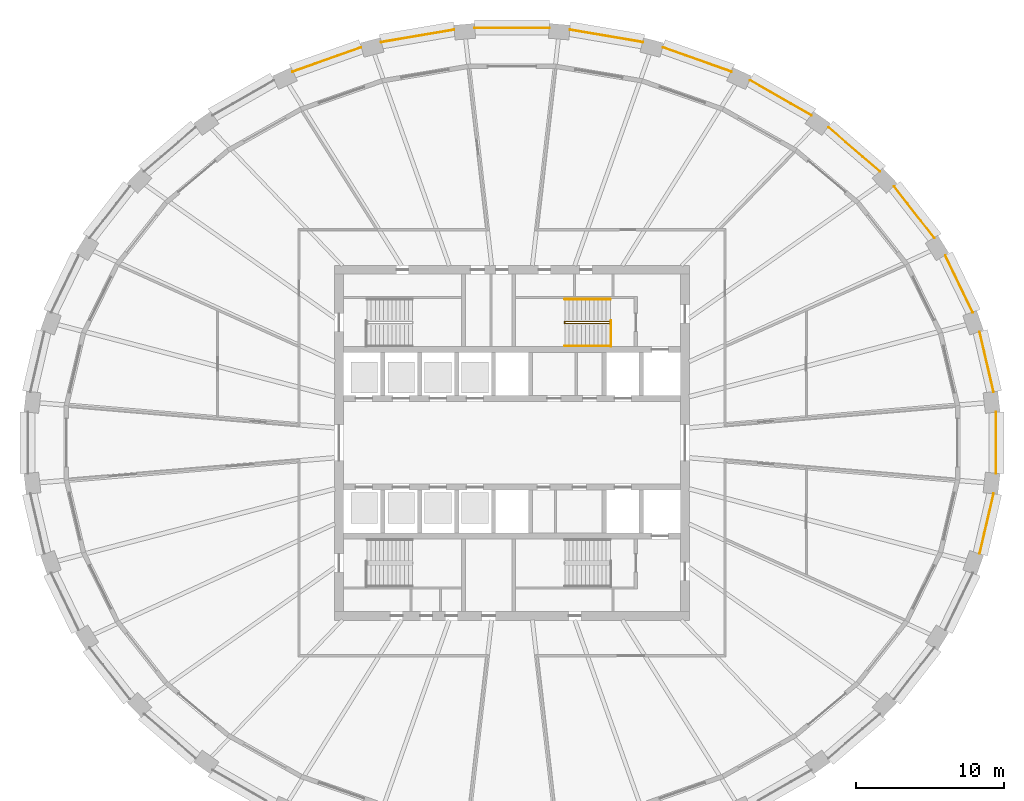
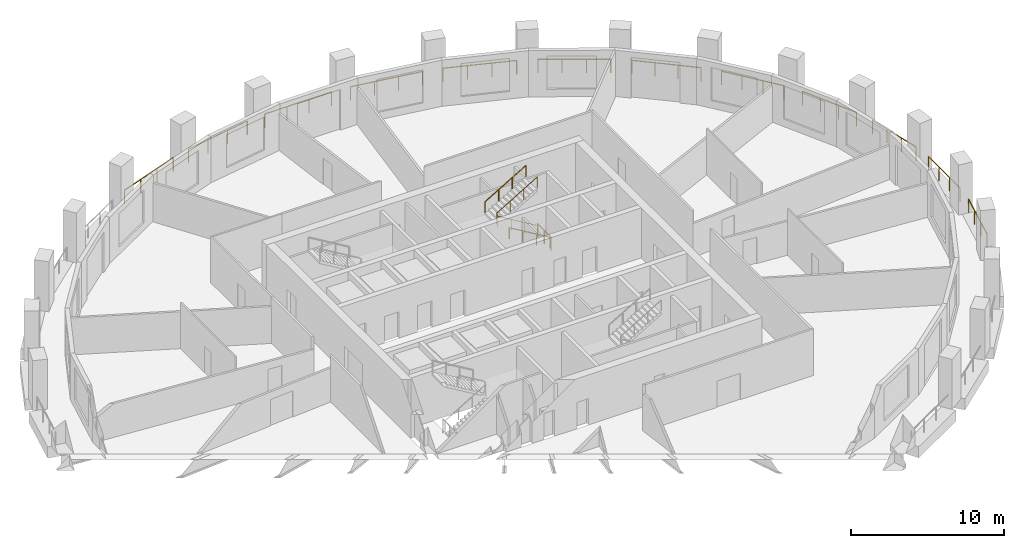
# One storey, part 9 of 10: 16 railings.
"""IFC4 building model written with IfcOpenShell, lengths in metres."""

from ifc_helpers import new_model, si_unit, direction, frame, origin, origin_2d, place, context, subcontext, project, spatial, circle, extrude, material, type_object, element, save


model = new_model("IFC4")

# Units and contexts
model_context = context("Model", 3, precision=1e-05, world=origin(), true_north=direction((0.0, 1.0)))
body_context = subcontext(model_context, "Body", "Model", "MODEL_VIEW")
ifc_project = project(units=[si_unit("LENGTHUNIT", "METRE"), si_unit("AREAUNIT", "SQUARE_METRE"), si_unit("VOLUMEUNIT", "CUBIC_METRE"), si_unit("PLANEANGLEUNIT", "RADIAN"), si_unit("MASSUNIT", "GRAM", prefix="KILO")], contexts=[model_context])

# Site, building, storey
site_placement = place(None, origin())
site = spatial("IfcSite", under=ifc_project, at=site_placement, CompositionType="ELEMENT")
building_placement = place(site_placement, origin())
building = spatial("IfcBuilding", under=site, at=building_placement, Name="Halqa Exchange Tower", CompositionType="ELEMENT")
storey_placement = place(building_placement, frame((0.0, 0.0, 186.89990234375)))
storey = spatial("IfcBuildingStorey", under=building, at=storey_placement, Name="L42", CompositionType="ELEMENT", Elevation=186.89990234375)

# Railings
ifc_material = material(Name="Stainless steel", Category="steel")
railing_type_1 = type_object("IfcRailingType", Name="Guard 1100 stainless steel", PredefinedType="GUARDRAIL", material=ifc_material)
railing_1_placement = place(storey_placement, frame((32.5576171875, 3.44384765625, 0.0)))
element("IfcRailing", 1, at=railing_1_placement, inside=storey, type_object=railing_type_1, Name="Loggia guard 1", PredefinedType="GUARDRAIL", context=body_context, shape_type="SweptSolid", body=[
    extrude(circle(Radius=0.02392578125, at=origin_2d()), frame((0.0, 0.0, 1.076171875), z_axis=(-0.226088953207, 0.974106660093, 0.0), x_axis=(-0.974106660093, -0.226088953207, 0.0)), (0.0, 0.0, 1.0), 4.16162109375),
    extrude(circle(Radius=0.02099609375, at=origin_2d()), origin(), (0.0, 0.0, 1.0), 1.052001953125),
    extrude(circle(Radius=0.02099609375, at=origin_2d()), frame((-0.313720703125, 1.351318359375, 0.0)), (0.0, 0.0, 1.0), 1.052001953125),
    extrude(circle(Radius=0.02099609375, at=origin_2d()), frame((-0.627197265625, 2.70263671875, 0.0)), (0.0, 0.0, 1.0), 1.052001953125),
    extrude(circle(Radius=0.02099609375, at=origin_2d()), frame((-0.94091796875, 4.053955078125, 0.0)), (0.0, 0.0, 1.0), 1.052001953125),
])
railing_2_placement = place(storey_placement, frame((31.15380859375, 8.809814453125, 0.0)))
element("IfcRailing", 2, at=railing_2_placement, inside=storey, type_object=railing_type_1, Name="Loggia guard 2", PredefinedType="GUARDRAIL", context=body_context, shape_type="SweptSolid", body=[
    extrude(circle(Radius=0.02392578125, at=origin_2d()), frame((0.0, 0.0, 1.076171875), z_axis=(-0.435091374041, 0.900386303892, 0.0), x_axis=(-0.900386303892, -0.435091374041, 0.0)), (0.0, 0.0, 1.0), 4.267822265625),
    extrude(circle(Radius=0.02099609375, at=origin_2d()), origin(), (0.0, 0.0, 1.0), 1.052001953125),
    extrude(circle(Radius=0.02099609375, at=origin_2d()), frame((-0.618896484375, 1.281005859375, 0.0)), (0.0, 0.0, 1.0), 1.052001953125),
    extrude(circle(Radius=0.02099609375, at=origin_2d()), frame((-1.238037109375, 2.561767578125, 0.0)), (0.0, 0.0, 1.0), 1.052001953125),
    extrude(circle(Radius=0.02099609375, at=origin_2d()), frame((-1.85693359375, 3.8427734375, 0.0)), (0.0, 0.0, 1.0), 1.052001953125),
])
railing_3_placement = place(storey_placement, frame((28.56201171875, 13.8349609375, 0.0)))
element("IfcRailing", 3, at=railing_3_placement, inside=storey, type_object=railing_type_1, Name="Loggia guard 3", PredefinedType="GUARDRAIL", context=body_context, shape_type="SweptSolid", body=[
    extrude(circle(Radius=0.02392578125, at=origin_2d()), frame((0.0, 0.0, 1.076171875), z_axis=(-0.614819031124, 0.788668218561, 0.0), x_axis=(-0.788668218561, -0.614819031124, 0.0)), (0.0, 0.0, 1.0), 4.423583984375),
    extrude(circle(Radius=0.02099609375, at=origin_2d()), origin(), (0.0, 0.0, 1.0), 1.052001953125),
    extrude(circle(Radius=0.02099609375, at=origin_2d()), frame((-0.906494140625, 1.162841796875, 0.0)), (0.0, 0.0, 1.0), 1.052001953125),
    extrude(circle(Radius=0.02099609375, at=origin_2d()), frame((-1.813232421875, 2.325927734375, 0.0)), (0.0, 0.0, 1.0), 1.052001953125),
    extrude(circle(Radius=0.02099609375, at=origin_2d()), frame((-2.7197265625, 3.48876953125, 0.0)), (0.0, 0.0, 1.0), 1.052001953125),
])
railing_4_placement = place(storey_placement, frame((24.880615234375, 18.331298828125, 0.0)))
element("IfcRailing", 4, at=railing_4_placement, inside=storey, type_object=railing_type_1, Name="Loggia guard 4", PredefinedType="GUARDRAIL", context=body_context, shape_type="SweptSolid", body=[
    extrude(circle(Radius=0.02392578125, at=origin_2d()), frame((0.0, 0.0, 1.076171875), z_axis=(-0.75926783661, 0.650778266608, 0.0), x_axis=(-0.650778266608, -0.75926783661, 0.0)), (0.0, 0.0, 1.0), 4.60205078125),
    extrude(circle(Radius=0.02099609375, at=origin_2d()), origin(), (0.0, 0.0, 1.0), 1.052001953125),
    extrude(circle(Radius=0.02099609375, at=origin_2d()), frame((-1.164794921875, 0.998291015625, 0.0)), (0.0, 0.0, 1.0), 1.052001953125),
    extrude(circle(Radius=0.02099609375, at=origin_2d()), frame((-2.329345703125, 1.99658203125, 0.0)), (0.0, 0.0, 1.0), 1.052001953125),
    extrude(circle(Radius=0.02099609375, at=origin_2d()), frame((-3.494140625, 2.994873046875, 0.0)), (0.0, 0.0, 1.0), 1.052001953125),
])
railing_5_placement = place(storey_placement, frame((20.24755859375, 22.129638671875, 0.0)))
element("IfcRailing", 5, at=railing_5_placement, inside=storey, type_object=railing_type_1, Name="Loggia guard 5", PredefinedType="GUARDRAIL", context=body_context, shape_type="SweptSolid", body=[
    extrude(circle(Radius=0.02392578125, at=origin_2d()), frame((0.0, 0.0, 1.076171875), z_axis=(-0.867751855259, 0.496997703913, 0.0), x_axis=(-0.496997703913, -0.867751855259, 0.0)), (0.0, 0.0, 1.0), 4.774658203125),
    extrude(circle(Radius=0.02099609375, at=origin_2d()), origin(), (0.0, 0.0, 1.0), 1.052001953125),
    extrude(circle(Radius=0.02099609375, at=origin_2d()), frame((-1.381103515625, 0.791015625, 0.0)), (0.0, 0.0, 1.0), 1.052001953125),
    extrude(circle(Radius=0.02099609375, at=origin_2d()), frame((-2.76220703125, 1.58203125, 0.0)), (0.0, 0.0, 1.0), 1.052001953125),
    extrude(circle(Radius=0.02099609375, at=origin_2d()), frame((-4.143310546875, 2.373046875, 0.0)), (0.0, 0.0, 1.0), 1.052001953125),
])
railing_6_placement = place(storey_placement, frame((14.837158203125, 25.084716796875, 0.0)))
element("IfcRailing", 6, at=railing_6_placement, inside=storey, type_object=railing_type_1, Name="Loggia guard 6", PredefinedType="GUARDRAIL", context=body_context, shape_type="SweptSolid", body=[
    extrude(circle(Radius=0.02392578125, at=origin_2d()), frame((0.0, 0.0, 1.076171875), z_axis=(-0.942369190495, 0.334574817949, 0.0), x_axis=(-0.334574817949, -0.942369190495, 0.0)), (0.0, 0.0, 1.0), 4.918212890625),
    extrude(circle(Radius=0.02099609375, at=origin_2d()), origin(), (0.0, 0.0, 1.0), 1.052001953125),
    extrude(circle(Radius=0.02099609375, at=origin_2d()), frame((-1.544921875, 0.548583984375, 0.0)), (0.0, 0.0, 1.0), 1.052001953125),
    extrude(circle(Radius=0.02099609375, at=origin_2d()), frame((-3.08984375, 1.096923828125, 0.0)), (0.0, 0.0, 1.0), 1.052001953125),
    extrude(circle(Radius=0.02099609375, at=origin_2d()), frame((-4.634765625, 1.6455078125, 0.0)), (0.0, 0.0, 1.0), 1.052001953125),
])
railing_7_placement = place(storey_placement, frame((8.852783203125, 27.08203125, 0.0)))
element("IfcRailing", 7, at=railing_7_placement, inside=storey, type_object=railing_type_1, Name="Loggia guard 7", PredefinedType="GUARDRAIL", context=body_context, shape_type="SweptSolid", body=[
    extrude(circle(Radius=0.02392578125, at=origin_2d()), frame((0.0, 0.0, 1.076171875), z_axis=(-0.985777589704, 0.168055180337, 0.0), x_axis=(-0.168055180337, -0.985777589704, 0.0)), (0.0, 0.0, 1.0), 5.011962890625),
    extrude(circle(Radius=0.02099609375, at=origin_2d()), origin(), (0.0, 0.0, 1.0), 1.052001953125),
    extrude(circle(Radius=0.02099609375, at=origin_2d()), frame((-1.64697265625, 0.28076171875, 0.0)), (0.0, 0.0, 1.0), 1.052001953125),
    extrude(circle(Radius=0.02099609375, at=origin_2d()), frame((-3.293701171875, 0.5615234375, 0.0)), (0.0, 0.0, 1.0), 1.052001953125),
    extrude(circle(Radius=0.02099609375, at=origin_2d()), frame((-4.940673828125, 0.84228515625, 0.0)), (0.0, 0.0, 1.0), 1.052001953125),
])
railing_8_placement = place(storey_placement, frame((2.522216796875, 28.0419921875, 0.0)))
element("IfcRailing", 8, at=railing_8_placement, inside=storey, type_object=railing_type_1, Name="Loggia guard 8", PredefinedType="GUARDRAIL", context=body_context, shape_type="SweptSolid", body=[
    extrude(circle(Radius=0.02392578125, at=origin_2d()), frame((0.0, 0.0, 1.076171875), z_axis=(-1.0, 0.0, 0.0), x_axis=(0.0, -1.0, 0.0)), (0.0, 0.0, 1.0), 5.04443359375),
    extrude(circle(Radius=0.02099609375, at=origin_2d()), origin(), (0.0, 0.0, 1.0), 1.052001953125),
    extrude(circle(Radius=0.02099609375, at=origin_2d()), frame((-1.681396484375, 0.0, 0.0)), (0.0, 0.0, 1.0), 1.052001953125),
    extrude(circle(Radius=0.02099609375, at=origin_2d()), frame((-3.363037109375, 0.0, 0.0)), (0.0, 0.0, 1.0), 1.052001953125),
    extrude(circle(Radius=0.02099609375, at=origin_2d()), frame((-5.04443359375, 0.0, 0.0)), (0.0, 0.0, 1.0), 1.052001953125),
])
railing_9_placement = place(storey_placement, frame((-3.912109375, 27.92431640625, 0.0)))
element("IfcRailing", 9, at=railing_9_placement, inside=storey, type_object=railing_type_1, Name="Loggia guard 9", PredefinedType="GUARDRAIL", context=body_context, shape_type="SweptSolid", body=[
    extrude(circle(Radius=0.02392578125, at=origin_2d()), frame((0.0, 0.0, 1.076171875), z_axis=(-0.985777589704, -0.168055180337, 0.0), x_axis=(0.168055180337, -0.985777589704, 0.0)), (0.0, 0.0, 1.0), 5.011962890625),
    extrude(circle(Radius=0.02099609375, at=origin_2d()), origin(), (0.0, 0.0, 1.0), 1.052001953125),
    extrude(circle(Radius=0.02099609375, at=origin_2d()), frame((-1.64697265625, -0.28076171875, 0.0)), (0.0, 0.0, 1.0), 1.052001953125),
    extrude(circle(Radius=0.02099609375, at=origin_2d()), frame((-3.293701171875, -0.5615234375, 0.0)), (0.0, 0.0, 1.0), 1.052001953125),
    extrude(circle(Radius=0.02099609375, at=origin_2d()), frame((-4.940673828125, -0.84228515625, 0.0)), (0.0, 0.0, 1.0), 1.052001953125),
])
railing_10_placement = place(storey_placement, frame((-10.202392578125, 26.730224609375, 0.0)))
element("IfcRailing", 10, at=railing_10_placement, inside=storey, type_object=railing_type_1, Name="Loggia guard 10", PredefinedType="GUARDRAIL", context=body_context, shape_type="SweptSolid", body=[
    extrude(circle(Radius=0.02392578125, at=origin_2d()), frame((0.0, 0.0, 1.076171875), z_axis=(-0.942369190495, -0.334574817949, 0.0), x_axis=(0.334574817949, -0.942369190495, 0.0)), (0.0, 0.0, 1.0), 4.918212890625),
    extrude(circle(Radius=0.02099609375, at=origin_2d()), origin(), (0.0, 0.0, 1.0), 1.052001953125),
    extrude(circle(Radius=0.02099609375, at=origin_2d()), frame((-1.544921875, -0.548583984375, 0.0)), (0.0, 0.0, 1.0), 1.052001953125),
    extrude(circle(Radius=0.02099609375, at=origin_2d()), frame((-3.08984375, -1.096923828125, 0.0)), (0.0, 0.0, 1.0), 1.052001953125),
    extrude(circle(Radius=0.02099609375, at=origin_2d()), frame((-4.634765625, -1.6455078125, 0.0)), (0.0, 0.0, 1.0), 1.052001953125),
])
railing_11_placement = place(storey_placement, frame((31.61669921875, -7.497802734375, 0.0)))
element("IfcRailing", 11, at=railing_11_placement, inside=storey, type_object=railing_type_1, Name="Loggia guard 31", PredefinedType="GUARDRAIL", context=body_context, shape_type="SweptSolid", body=[
    extrude(circle(Radius=0.02392578125, at=origin_2d()), frame((0.0, 0.0, 1.076171875), z_axis=(0.226088953207, 0.974106660093, 0.0), x_axis=(-0.974106660093, 0.226088953207, 0.0)), (0.0, 0.0, 1.0), 4.16162109375),
    extrude(circle(Radius=0.02099609375, at=origin_2d()), origin(), (0.0, 0.0, 1.0), 1.052001953125),
    extrude(circle(Radius=0.02099609375, at=origin_2d()), frame((0.313720703125, 1.351318359375, 0.0)), (0.0, 0.0, 1.0), 1.052001953125),
    extrude(circle(Radius=0.02099609375, at=origin_2d()), frame((0.627197265625, 2.70263671875, 0.0)), (0.0, 0.0, 1.0), 1.052001953125),
    extrude(circle(Radius=0.02099609375, at=origin_2d()), frame((0.94091796875, 4.053955078125, 0.0)), (0.0, 0.0, 1.0), 1.052001953125),
])
railing_12_placement = place(storey_placement, frame((32.7158203125, -2.06201171875, 0.0)))
element("IfcRailing", 12, at=railing_12_placement, inside=storey, type_object=railing_type_1, Name="Loggia guard 32", PredefinedType="GUARDRAIL", context=body_context, shape_type="SweptSolid", body=[
    extrude(circle(Radius=0.02392578125, at=origin_2d()), frame((0.0, 0.0, 1.076171875), z_axis=(0.0, 1.0, 0.0), x_axis=(-1.0, 0.0, 0.0)), (0.0, 0.0, 1.0), 4.1240234375),
    extrude(circle(Radius=0.02099609375, at=origin_2d()), origin(), (0.0, 0.0, 1.0), 1.052001953125),
    extrude(circle(Radius=0.02099609375, at=origin_2d()), frame((0.0, 1.374755859375, 0.0)), (0.0, 0.0, 1.0), 1.052001953125),
    extrude(circle(Radius=0.02099609375, at=origin_2d()), frame((0.0, 2.749267578125, 0.0)), (0.0, 0.0, 1.0), 1.052001953125),
    extrude(circle(Radius=0.02099609375, at=origin_2d()), frame((0.0, 4.1240234375, 0.0)), (0.0, 0.0, 1.0), 1.052001953125),
])
railing_type_2 = type_object("IfcRailingType", Name="Stair handrail 900", PredefinedType="HANDRAIL", material=ifc_material)
railing_13_placement = place(storey_placement, frame((6.64990234375, 8.06005859375, 0.166748046875)))
element("IfcRailing", 13, at=railing_13_placement, inside=storey, type_object=railing_type_2, Name="Handrail ST2.1", PredefinedType="HANDRAIL", context=body_context, shape_type="SweptSolid", body=[
    extrude(circle(Radius=0.02392578125, at=origin_2d()), frame((0.0, 0.0, 0.8759765625), z_axis=(-0.859290745958, 0.0, 0.51148745235), x_axis=(0.0, -1.0, 0.0)), (0.0, 0.0, 1.0), 3.584228515625),
    extrude(circle(Radius=0.02392578125, at=origin_2d()), frame((-3.079833984375, 0.0, 2.708984375), z_axis=(0.0, 0.614500226555, 0.788916644243), x_axis=(-1.0, 0.0, 0.0)), (0.0, 0.0, 1.0), 0.21142578125),
    extrude(circle(Radius=0.02392578125, at=origin_2d()), frame((-3.079833984375, 0.1298828125, 2.8759765625), z_axis=(0.859290745958, 0.0, 0.51148745235), x_axis=(0.0, 1.0, 0.0)), (0.0, 0.0, 1.0), 3.584228515625),
    extrude(circle(Radius=0.02099609375, at=origin_2d()), origin(), (0.0, 0.0, 1.0), 0.851806640625),
    extrude(circle(Radius=0.02099609375, at=origin_2d()), frame((-1.026611328125, 0.0, 0.611083984375)), (0.0, 0.0, 1.0), 0.851806640625),
    extrude(circle(Radius=0.02099609375, at=origin_2d()), frame((-2.05322265625, 0.0, 1.22216796875)), (0.0, 0.0, 1.0), 0.851806640625),
    extrude(circle(Radius=0.02099609375, at=origin_2d()), frame((-3.079833984375, 0.0, 1.833251953125)), (0.0, 0.0, 1.0), 0.851806640625),
    extrude(circle(Radius=0.02099609375, at=origin_2d()), frame((-3.079833984375, 0.1298828125, 2.0)), (0.0, 0.0, 1.0), 0.851806640625),
    extrude(circle(Radius=0.02099609375, at=origin_2d()), frame((-2.05322265625, 0.1298828125, 2.611083984375)), (0.0, 0.0, 1.0), 0.851806640625),
    extrude(circle(Radius=0.02099609375, at=origin_2d()), frame((-1.026611328125, 0.1298828125, 3.22216796875)), (0.0, 0.0, 1.0), 0.851806640625),
    extrude(circle(Radius=0.02099609375, at=origin_2d()), frame((0.0, 0.1298828125, 3.833251953125)), (0.0, 0.0, 1.0), 0.851806640625),
])
railing_14_placement = place(storey_placement, frame((6.64990234375, 6.550048828125, 0.166748046875)))
element("IfcRailing", 14, at=railing_14_placement, inside=storey, type_object=railing_type_2, Name="Handrail ST2.2", PredefinedType="HANDRAIL", context=body_context, shape_type="SweptSolid", body=[
    extrude(circle(Radius=0.02392578125, at=origin_2d()), frame((0.0, 0.0, 0.8759765625), z_axis=(-0.859290745958, 0.0, 0.51148745235), x_axis=(0.0, -1.0, 0.0)), (0.0, 0.0, 1.0), 3.584228515625),
    extrude(circle(Radius=0.02099609375, at=origin_2d()), origin(), (0.0, 0.0, 1.0), 0.851806640625),
    extrude(circle(Radius=0.02099609375, at=origin_2d()), frame((-1.026611328125, 0.0, 0.611083984375)), (0.0, 0.0, 1.0), 0.851806640625),
    extrude(circle(Radius=0.02099609375, at=origin_2d()), frame((-2.05322265625, 0.0, 1.22216796875)), (0.0, 0.0, 1.0), 0.851806640625),
    extrude(circle(Radius=0.02099609375, at=origin_2d()), frame((-3.079833984375, 0.0, 1.833251953125)), (0.0, 0.0, 1.0), 0.851806640625),
])
railing_15_placement = place(storey_placement, frame((3.570068359375, 9.699951171875, 2.166748046875)))
element("IfcRailing", 15, at=railing_15_placement, inside=storey, type_object=railing_type_2, Name="Handrail ST2.3", PredefinedType="HANDRAIL", context=body_context, shape_type="SweptSolid", body=[
    extrude(circle(Radius=0.02392578125, at=origin_2d()), frame((0.0, 0.0, 0.8759765625), z_axis=(0.859290745958, 0.0, 0.51148745235), x_axis=(0.0, 1.0, 0.0)), (0.0, 0.0, 1.0), 3.584228515625),
    extrude(circle(Radius=0.02099609375, at=origin_2d()), origin(), (0.0, 0.0, 1.0), 0.851806640625),
    extrude(circle(Radius=0.02099609375, at=origin_2d()), frame((1.026611328125, 0.0, 0.611083984375)), (0.0, 0.0, 1.0), 0.851806640625),
    extrude(circle(Radius=0.02099609375, at=origin_2d()), frame((2.05322265625, 0.0, 1.22216796875)), (0.0, 0.0, 1.0), 0.851806640625),
    extrude(circle(Radius=0.02099609375, at=origin_2d()), frame((3.079833984375, 0.0, 1.833251953125)), (0.0, 0.0, 1.0), 0.851806640625),
])
railing_type_3 = type_object("IfcRailingType", Name="Stair well guard 1100", PredefinedType="GUARDRAIL", material=ifc_material)
railing_16_placement = place(storey_placement, frame((6.699951171875, 6.5, 0.0)))
element("IfcRailing", 16, at=railing_16_placement, inside=storey, type_object=railing_type_3, Name="Guard ST2 well", PredefinedType="GUARDRAIL", context=body_context, shape_type="SweptSolid", body=[
    extrude(circle(Radius=0.02392578125, at=origin_2d()), frame((0.0, 0.0, 1.076171875), z_axis=(0.0, 1.0, 0.0), x_axis=(-1.0, 0.0, 0.0)), (0.0, 0.0, 1.0), 1.75),
    extrude(circle(Radius=0.02099609375, at=origin_2d()), origin(), (0.0, 0.0, 1.0), 1.052001953125),
    extrude(circle(Radius=0.02099609375, at=origin_2d()), frame((0.0, 0.875, 0.0)), (0.0, 0.0, 1.0), 1.052001953125),
    extrude(circle(Radius=0.02099609375, at=origin_2d()), frame((0.0, 1.75, 0.0)), (0.0, 0.0, 1.0), 1.052001953125),
])

save(model, "model.ifc")
